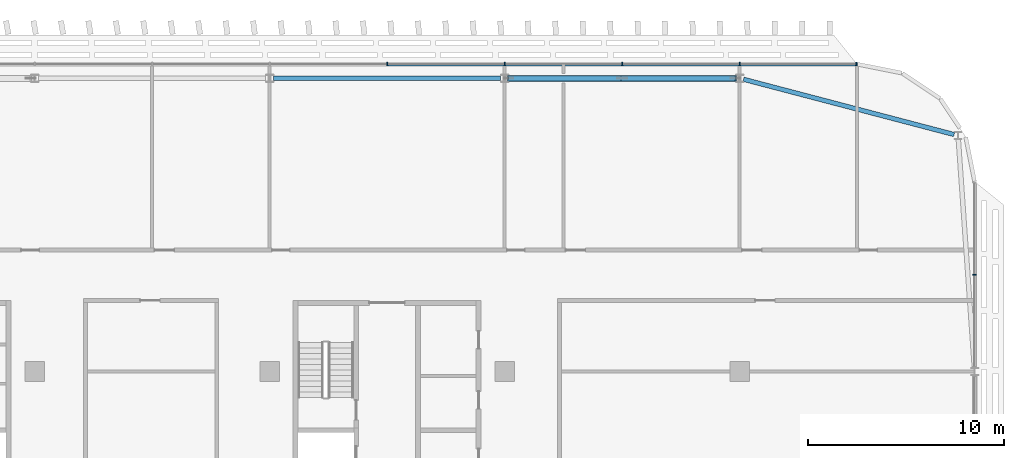
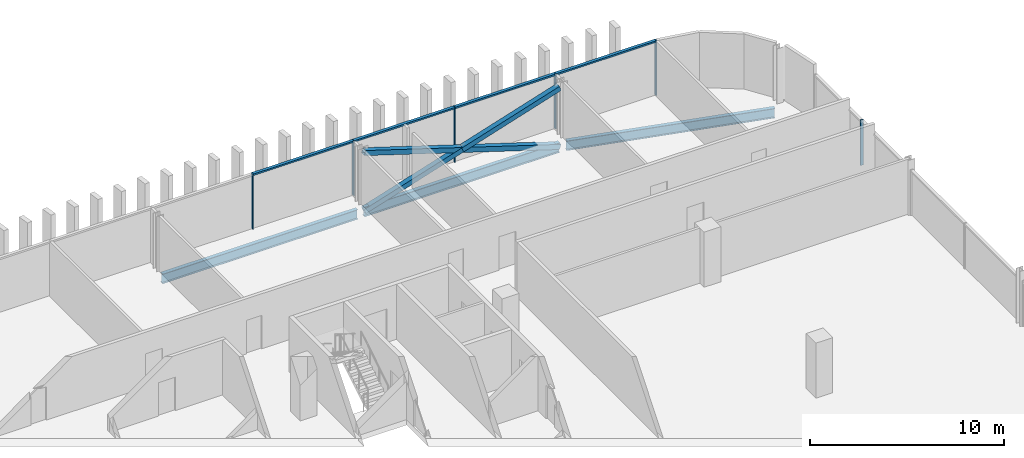
# One storey, part 14 of 34: 13 members, 3 beams, 2 elements without a shape of their own.
"""IFC4 building model written with IfcOpenShell, lengths in metres."""

from ifc_helpers import new_model, si_unit, direction, frame, origin, origin_2d, place, context, subcontext, project, spatial, rectangle, hollow_rectangle, i_section, extrude, material, material_profile, profile_set, type_object, element, aggregate, save


model = new_model("IFC4")

# Units and contexts
model_context = context("Model", 3, precision=1e-05, world=origin(), true_north=direction((0.0, 1.0)))
body_context = subcontext(model_context, "Body", "Model", "MODEL_VIEW")
ifc_project = project(units=[si_unit("LENGTHUNIT", "METRE"), si_unit("AREAUNIT", "SQUARE_METRE"), si_unit("VOLUMEUNIT", "CUBIC_METRE"), si_unit("PLANEANGLEUNIT", "RADIAN"), si_unit("MASSUNIT", "GRAM", prefix="KILO")], contexts=[model_context])

# Site, building, storey
site_placement = place(None, origin())
site = spatial("IfcSite", under=ifc_project, at=site_placement, CompositionType="ELEMENT")
building_placement = place(site_placement, origin())
building = spatial("IfcBuilding", under=site, at=building_placement, Name="Mahtab Terrace Research Tower", CompositionType="ELEMENT")
storey_placement = place(building_placement, frame((0.0, 0.0, 247.60009765625)))
storey = spatial("IfcBuildingStorey", under=building, at=storey_placement, Name="L60", CompositionType="ELEMENT", Elevation=247.60009765625)

# Members
ifc_material_1 = material(Name="Steel ASTM A500 Gr C", Category="steel")
ifc_material_profile_1 = material_profile(ifc_material_1, hollow_rectangle(XDim=0.3046875, YDim=0.3046875, WallThickness=0.015869140625, at=origin_2d()), Name="HSS12X12X5/8")
ifc_profile_set_1 = profile_set([ifc_material_profile_1], Name="Steel ASTM A500 Gr C")
member_type_1 = type_object("IfcMemberType", Name="HSS 12x12x5/8 brace XB121258", PredefinedType="BRACE", material=ifc_profile_set_1)
member_1_placement = place(storey_placement, frame((41.800537109375, 26.472900390625, -0.58056640625), z_axis=(-0.953338568311, 0.0, 0.301903252998), x_axis=(0.0, -1.0, 0.0)))
element("IfcMember", 1, at=member_1_placement, inside=storey, type_object=member_type_1, Name="Exoskeleton brace L60 02 a", PredefinedType="BRACE", context=body_context, shape_type="SweptSolid", body=[
    extrude(hollow_rectangle(XDim=0.3046875, YDim=0.3046875, WallThickness=0.015869140625, at=origin_2d()), origin(), (0.0, 0.0, 1.0), 12.1689453125),
])
for number, where, z_axis, x_axis, name in (
    (2, (30.199462890625, 26.472900390625, -0.58056640625), (0.953338568311, 0.0, 0.301903252998), (0.0, 1.0, 0.0), "Exoskeleton brace L60 02 b1"),
    (3, (36.0, 26.472900390625, 1.25634765625), (0.953338568311, 0.0, 0.301903252998), (0.0, 1.0, 0.0), "Exoskeleton brace L60 02 b2"),
):
    element("IfcMember", number, at=place(storey_placement, frame(where, z_axis=z_axis, x_axis=x_axis)), inside=storey, type_object=member_type_1, Name=name, PredefinedType="BRACE", context=body_context, shape_type="SweptSolid", body=[
        extrude(hollow_rectangle(XDim=0.3046875, YDim=0.3046875, WallThickness=0.015869140625, at=origin_2d()), origin(), (0.0, 0.0, 1.0), 6.08447265625),
    ])

# Curtain wall, members
ifc_material_2 = material(Name="Office ribbon curtain wall")
curtain_wall_type = type_object("IfcCurtainWallType", Name="Office ribbon curtain wall", PredefinedType="NOTDEFINED", material=ifc_material_2)
curtain_wall_1_placement = place(storey_placement, origin())
curtain_wall_1 = element("IfcCurtainWall", 4, at=curtain_wall_1_placement, inside=storey, type_object=curtain_wall_type, Name="EN.L60.3.3", PredefinedType="NOTDEFINED")
ifc_material_3 = material(Name="Natural anodised aluminium", Category="aluminium")
ifc_material_profile_2 = material_profile(ifc_material_3, rectangle(XDim=0.179931640625, YDim=0.06005859375, at=origin_2d()), Name="MULLION 60x180")
ifc_profile_set_2 = profile_set([ifc_material_profile_2], Name="Natural anodised aluminium")
member_type_2 = type_object("IfcMemberType", Name="Office ribbon curtain wall mullion", PredefinedType="MULLION", material=ifc_profile_set_2)
member_2_placement = place(storey_placement, frame((47.969970703125, 27.195068359375, 0.0), z_axis=(0.0, 0.0, 1.0), x_axis=(0.0, -1.0, 0.0)))
member_2 = element("IfcMember", 5, at=member_2_placement, type_object=member_type_2, Name="CWO-7 mullion 1", PredefinedType="MULLION", context=body_context, shape_type="SweptSolid", body=[
    extrude(rectangle(XDim=0.179931640625, YDim=0.06005859375, at=origin_2d()), origin(), (0.0, 0.0, 1.0), 3.4599609375),
])
member_3_placement = place(storey_placement, frame((42.0, 27.195068359375, 0.0), z_axis=(0.0, 0.0, 1.0), x_axis=(0.0, -1.0, 0.0)))
member_3 = element("IfcMember", 6, at=member_3_placement, type_object=member_type_2, Name="CWO-7 mullion 2", PredefinedType="MULLION", context=body_context, shape_type="SweptSolid", body=[
    extrude(rectangle(XDim=0.179931640625, YDim=0.06005859375, at=origin_2d()), origin(), (0.0, 0.0, 1.0), 3.4599609375),
])
member_4_placement = place(storey_placement, frame((36.0, 27.195068359375, 0.0), z_axis=(0.0, 0.0, 1.0), x_axis=(0.0, -1.0, 0.0)))
member_4 = element("IfcMember", 7, at=member_4_placement, type_object=member_type_2, Name="CWO-7 mullion 3", PredefinedType="MULLION", context=body_context, shape_type="SweptSolid", body=[
    extrude(rectangle(XDim=0.179931640625, YDim=0.06005859375, at=origin_2d()), origin(), (0.0, 0.0, 1.0), 3.4599609375),
])
member_5_placement = place(storey_placement, frame((30.0, 27.195068359375, 0.0), z_axis=(0.0, 0.0, 1.0), x_axis=(0.0, -1.0, 0.0)))
member_5 = element("IfcMember", 8, at=member_5_placement, type_object=member_type_2, Name="CWO-7 mullion 4", PredefinedType="MULLION", context=body_context, shape_type="SweptSolid", body=[
    extrude(rectangle(XDim=0.179931640625, YDim=0.06005859375, at=origin_2d()), origin(), (0.0, 0.0, 1.0), 3.4599609375),
])
member_6_placement = place(storey_placement, frame((24.0, 27.195068359375, 0.0), z_axis=(0.0, 0.0, 1.0), x_axis=(0.0, -1.0, 0.0)))
member_6 = element("IfcMember", 9, at=member_6_placement, type_object=member_type_2, Name="CWO-7 mullion 5", PredefinedType="MULLION", context=body_context, shape_type="SweptSolid", body=[
    extrude(rectangle(XDim=0.179931640625, YDim=0.06005859375, at=origin_2d()), origin(), (0.0, 0.0, 1.0), 3.4599609375),
])

# Curtain wall, member
curtain_wall_2_placement = place(storey_placement, origin())
curtain_wall_2 = element("IfcCurtainWall", 10, at=curtain_wall_2_placement, inside=storey, type_object=curtain_wall_type, Name="EN.L60.18.23", PredefinedType="NOTDEFINED")
member_7_placement = place(storey_placement, frame((54.0, 16.444091796875, 0.0), z_axis=(0.0, 0.0, 1.0), x_axis=(-1.0, 0.0, 0.0)))
member_7 = element("IfcMember", 11, at=member_7_placement, type_object=member_type_2, Name="CWO-7 mullion 2", PredefinedType="MULLION", context=body_context, shape_type="SweptSolid", body=[
    extrude(rectangle(XDim=0.179931640625, YDim=0.06005859375, at=origin_2d()), origin(), (0.0, 0.0, 1.0), 2.852783203125),
])
aggregate(curtain_wall_2, [member_7])

# Member
ifc_material_profile_3 = material_profile(ifc_material_3, rectangle(XDim=0.179931640625, YDim=0.10009765625, at=origin_2d()), Name="TRANSOM 100x180")
ifc_profile_set_3 = profile_set([ifc_material_profile_3], Name="Natural anodised aluminium")
member_type_3 = type_object("IfcMemberType", Name="Office ribbon curtain wall transom", PredefinedType="USERDEFINED", material=ifc_profile_set_3)
member_8_placement = place(storey_placement, frame((47.93994140625, 27.195068359375, 3.409912109375), z_axis=(-1.0, 0.0, 0.0), x_axis=(0.0, -1.0, 0.0)))
member_8 = element("IfcMember", 12, at=member_8_placement, type_object=member_type_3, Name="CWO-7 transom 1", ObjectType="TRANSOM", PredefinedType="USERDEFINED", context=body_context, shape_type="SweptSolid", body=[
    extrude(rectangle(XDim=0.179931640625, YDim=0.10009765625, at=origin_2d()), origin(), (0.0, 0.0, 1.0), 5.909912109375),
])

member_9_placement = place(storey_placement, frame((41.969970703125, 27.195068359375, 3.409912109375), z_axis=(-1.0, 0.0, 0.0), x_axis=(0.0, -1.0, 0.0)))
member_9 = element("IfcMember", 13, at=member_9_placement, type_object=member_type_3, Name="CWO-7 transom 2", ObjectType="TRANSOM", PredefinedType="USERDEFINED", context=body_context, shape_type="SweptSolid", body=[
    extrude(rectangle(XDim=0.179931640625, YDim=0.10009765625, at=origin_2d()), origin(), (0.0, 0.0, 1.0), 5.93994140625),
])

member_10_placement = place(storey_placement, frame((35.969970703125, 27.195068359375, 3.409912109375), z_axis=(-1.0, 0.0, 0.0), x_axis=(0.0, -1.0, 0.0)))
member_10 = element("IfcMember", 14, at=member_10_placement, type_object=member_type_3, Name="CWO-7 transom 3", ObjectType="TRANSOM", PredefinedType="USERDEFINED", context=body_context, shape_type="SweptSolid", body=[
    extrude(rectangle(XDim=0.179931640625, YDim=0.10009765625, at=origin_2d()), origin(), (0.0, 0.0, 1.0), 5.93994140625),
])

member_11_placement = place(storey_placement, frame((29.969970703125, 27.195068359375, 3.409912109375), z_axis=(-1.0, 0.0, 0.0), x_axis=(0.0, -1.0, 0.0)))
member_11 = element("IfcMember", 15, at=member_11_placement, type_object=member_type_3, Name="CWO-7 transom 4", ObjectType="TRANSOM", PredefinedType="USERDEFINED", context=body_context, shape_type="SweptSolid", body=[
    extrude(rectangle(XDim=0.179931640625, YDim=0.10009765625, at=origin_2d()), origin(), (0.0, 0.0, 1.0), 5.93994140625),
])

aggregate(curtain_wall_1, [member_2, member_3, member_4, member_5, member_6, member_8, member_9, member_10, member_11])

# Beams
ifc_material_4 = material(Name="Steel ASTM A992 Gr 50", Category="steel")
ifc_material_profile_4 = material_profile(ifc_material_4, i_section(OverallWidth=0.228271484375, OverallDepth=0.607177734375, WebThickness=0.01123046875, FlangeThickness=0.017333984375, at=origin_2d()), Name="W24X76")
ifc_profile_set_4 = profile_set([ifc_material_profile_4], Name="Steel ASTM A992 Gr 50")
beam_type = type_object("IfcBeamType", Name="W24x76 beam BS2476", PredefinedType="BEAM", material=ifc_profile_set_4)
beam_placement = place(storey_placement, frame((52.95458984375, 23.598388671875, -0.6435546875), z_axis=(-0.967252058434, 0.253817760323, 0.0), x_axis=(-0.253817760323, -0.967252058434, 0.0)))
element("IfcBeam", 16, at=beam_placement, inside=storey, type_object=beam_type, Name="Spandrel beam L60 01", PredefinedType="BEAM", context=body_context, shape_type="SweptSolid", body=[
    extrude(i_section(OverallWidth=0.228271484375, OverallDepth=0.607177734375, WebThickness=0.01123046875, FlangeThickness=0.017333984375, at=origin_2d()), origin(), (0.0, 0.0, 1.0), 11.119140625),
])
for number, where, z_axis, x_axis, name in (
    (17, (41.800537109375, 26.472900390625, -0.6435546875), (-1.0, 0.0, 0.0), (0.0, -1.0, 0.0), "Spandrel beam L60 02"),
    (18, (29.800537109375, 26.472900390625, -0.6435546875), (-1.0, 0.0, 0.0), (0.0, -1.0, 0.0), "Spandrel beam L60 03"),
):
    element("IfcBeam", number, at=place(storey_placement, frame(where, z_axis=z_axis, x_axis=x_axis)), inside=storey, type_object=beam_type, Name=name, PredefinedType="BEAM", context=body_context, shape_type="SweptSolid", body=[
        extrude(i_section(OverallWidth=0.228271484375, OverallDepth=0.607177734375, WebThickness=0.01123046875, FlangeThickness=0.017333984375, at=origin_2d()), origin(), (0.0, 0.0, 1.0), 11.60107421875),
    ])

save(model, "model.ifc")
